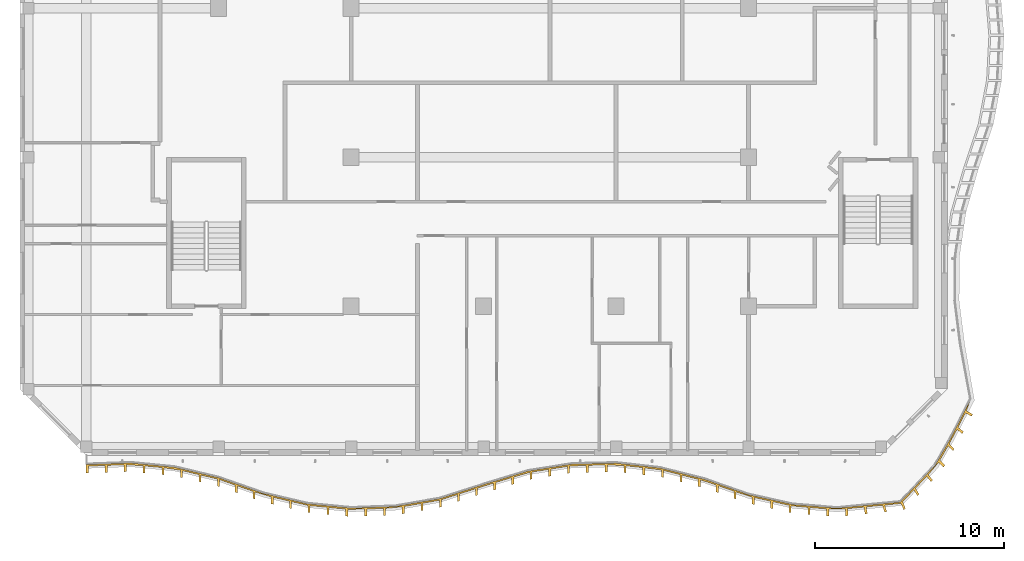
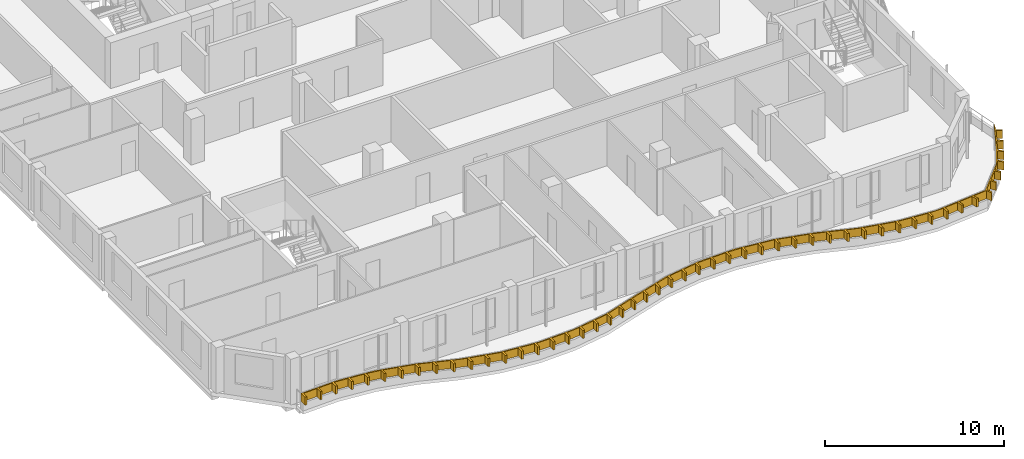
# One storey, part 12 of 18: 1 shading device.
"""IFC4 building model written with IfcOpenShell, lengths in metres."""

from ifc_helpers import new_model, si_unit, direction, frame, origin, place, context, subcontext, project, spatial, polyline, outline, extrude, source, transform, mapped, material, layer, layer_set, type_object, element, save


model = new_model("IFC4")

# Units and contexts
model_context = context("Model", 3, precision=1e-05, world=origin(), true_north=direction((0.0, 1.0)))
body_context = subcontext(model_context, "Body", "Model", "MODEL_VIEW")
ifc_project = project(units=[si_unit("LENGTHUNIT", "METRE"), si_unit("AREAUNIT", "SQUARE_METRE"), si_unit("VOLUMEUNIT", "CUBIC_METRE"), si_unit("PLANEANGLEUNIT", "RADIAN"), si_unit("MASSUNIT", "GRAM", prefix="KILO")], contexts=[model_context])

# Site, building, storey
site_placement = place(None, origin())
site = spatial("IfcSite", under=ifc_project, at=site_placement, CompositionType="ELEMENT")
building_placement = place(site_placement, origin())
building = spatial("IfcBuilding", under=site, at=building_placement, Name="Kilnfold Tower and Market Hall", CompositionType="ELEMENT")
storey_placement = place(building_placement, frame((0.0, 0.0, 312.0)))
storey = spatial("IfcBuildingStorey", under=building, at=storey_placement, Name="L78", CompositionType="ELEMENT", Elevation=312.0)

# Shading device
ifc_material = material(Name="Bronze anodised aluminium", Category="aluminium")
ifc_layer = layer(ifc_material, 0.550048828125)
ifc_layer_set = layer_set([ifc_layer], Name="Bronze anodised aluminium")
shading_device_type = type_object("IfcShadingDeviceType", Name="BRONZE SLAT FASCIA 550", PredefinedType="USERDEFINED", material=ifc_layer_set)
shared_shape = source(origin(), body_context, "Body", "SweptSolid", [
    extrude(outline(polyline([(-22.0, -24.44482421875), (-22.0, -23.994873046875), (-19.666748046875, -23.90771484375), (-17.333251953125, -24.135009765625), (-15.0, -24.689453125), (-12.666748046875, -25.50927734375), (-10.333251953125, -26.064208984375), (-8.0, -26.292236328125), (-5.666748046875, -26.20556640625), (-3.333251953125, -25.7998046875), (-1.0, -25.052001953125), (1.333251953125, -24.34130859375), (3.666748046875, -23.97021484375), (6.0, -23.9169921875), (8.333251953125, -24.1787109375), (10.666748046875, -24.770263671875), (13.0, -25.5859375), (15.333251953125, -26.1044921875), (17.666748046875, -26.2978515625), (21.024658203125, -25.973388671875), (22.863525390625, -24.030029296875), (23.71484375, -22.54833984375), (24.70849609375, -20.607421875), (24.5166015625, -21.15087890625), (24.836669921875, -21.32861328125), (24.77880859375, -21.439208984375), (24.462646484375, -21.25537109375), (24.068603515625, -22.0224609375), (24.3544921875, -22.251220703125), (24.296630859375, -22.362060546875), (24.01513671875, -22.127197265625), (23.60546875, -22.893798828125), (23.866943359375, -23.155517578125), (23.80712890625, -23.259521484375), (23.545654296875, -22.997802734375), (23.107177734375, -23.760986328125), (23.368896484375, -24.022705078125), (23.30908203125, -24.126708984375), (23.04736328125, -23.864990234375), (22.495849609375, -24.5302734375), (22.731201171875, -24.811279296875), (22.644775390625, -24.900390625), (22.414306640625, -24.615478515625), (21.818115234375, -25.2421875), (22.010009765625, -25.552978515625), (21.92333984375, -25.64208984375), (21.73681640625, -25.327880859375), (21.141357421875, -25.956298828125), (21.28857421875, -26.294921875), (21.2021484375, -26.3837890625), (21.06005859375, -26.042236328125), (20.197998046875, -26.12939453125), (20.30419921875, -26.47998046875), (20.181396484375, -26.492431640625), (20.080078125, -26.140625), (19.216064453125, -26.224609375), (19.28125, -26.583984375), (19.158447265625, -26.596435546875), (19.098388671875, -26.236083984375), (18.234619140625, -26.3212890625), (18.25830078125, -26.687744140625), (18.1357421875, -26.7001953125), (18.11669921875, -26.3330078125), (17.24658203125, -26.343017578125), (17.24658203125, -26.713134765625), (17.126953125, -26.703125), (17.126953125, -26.3330078125), (16.25, -26.260498046875), (16.25, -26.63037109375), (16.130615234375, -26.62060546875), (16.130615234375, -26.25048828125), (15.255126953125, -26.1669921875), (15.255126953125, -26.537109375), (15.137939453125, -26.510986328125), (15.137939453125, -26.14111328125), (14.27880859375, -25.9501953125), (14.27880859375, -26.320068359375), (14.161865234375, -26.294189453125), (14.161865234375, -25.924072265625), (13.302734375, -25.733154296875), (13.302734375, -26.103271484375), (13.185546875, -26.0771484375), (13.185546875, -25.70703125), (12.3486328125, -25.438232421875), (12.3486328125, -25.808349609375), (12.235595703125, -25.768798828125), (12.235595703125, -25.398681640625), (11.40478515625, -25.1083984375), (11.40478515625, -25.478271484375), (11.29150390625, -25.438720703125), (11.29150390625, -25.068603515625), (10.455078125, -24.796630859375), (10.455078125, -25.166748046875), (10.3388671875, -25.13720703125), (10.3388671875, -24.76708984375), (9.48583984375, -24.55078125), (9.48583984375, -24.9208984375), (9.36962890625, -24.891357421875), (9.36962890625, -24.521484375), (8.5166015625, -24.30517578125), (8.5166015625, -24.67529296875), (8.400390625, -24.645751953125), (8.400390625, -24.275634765625), (7.52734375, -24.168212890625), (7.52734375, -24.538330078125), (7.408203125, -24.52490234375), (7.408203125, -24.15478515625), (6.53369140625, -24.056884765625), (6.53369140625, -24.427001953125), (6.414306640625, -24.41357421875), (6.414306640625, -24.04345703125), (5.537109375, -24.007568359375), (5.537109375, -24.377685546875), (5.417236328125, -24.38037109375), (5.417236328125, -24.01025390625), (4.537353515625, -24.0302734375), (4.537353515625, -24.400390625), (4.41748046875, -24.403076171875), (4.41748046875, -24.033203125), (3.539306640625, -24.070556640625), (3.539306640625, -24.4404296875), (3.420654296875, -24.459228515625), (3.420654296875, -24.08935546875), (2.551513671875, -24.2275390625), (2.551513671875, -24.597412109375), (2.43310546875, -24.616455078125), (2.43310546875, -24.246337890625), (1.56396484375, -24.384521484375), (1.56396484375, -24.754638671875), (1.445556640625, -24.7734375), (1.445556640625, -24.403564453125), (0.60009765625, -24.64453125), (0.60009765625, -25.0146484375), (0.4853515625, -25.049560546875), (0.4853515625, -24.6796875), (-0.3564453125, -24.93603515625), (-0.3564453125, -25.305908203125), (-0.47119140625, -25.3408203125), (-0.47119140625, -24.970947265625), (-1.3115234375, -25.23193359375), (-1.3115234375, -25.601806640625), (-1.42578125, -25.638427734375), (-1.42578125, -25.2685546875), (-2.263916015625, -25.537109375), (-2.263916015625, -25.906982421875), (-2.378173828125, -25.943603515625), (-2.378173828125, -25.57373046875), (-3.21630859375, -25.84228515625), (-3.21630859375, -26.21240234375), (-3.330322265625, -26.2490234375), (-3.330322265625, -25.87890625), (-4.197265625, -26.030029296875), (-4.197265625, -26.400146484375), (-4.315673828125, -26.420654296875), (-4.315673828125, -26.05078125), (-5.1826171875, -26.201416015625), (-5.1826171875, -26.5712890625), (-5.30078125, -26.592041015625), (-5.30078125, -26.221923828125), (-6.1748046875, -26.304443359375), (-6.1748046875, -26.674560546875), (-6.294921875, -26.678955078125), (-6.294921875, -26.308837890625), (-7.17431640625, -26.341552734375), (-7.17431640625, -26.711669921875), (-7.294189453125, -26.716064453125), (-7.294189453125, -26.345947265625), (-8.1728515625, -26.355224609375), (-8.1728515625, -26.725341796875), (-8.292236328125, -26.713623046875), (-8.292236328125, -26.34375), (-9.168212890625, -26.258056640625), (-9.168212890625, -26.628173828125), (-9.28759765625, -26.616455078125), (-9.28759765625, -26.246337890625), (-10.163330078125, -26.160888671875), (-10.163330078125, -26.531005859375), (-10.28271484375, -26.519287109375), (-10.28271484375, -26.149169921875), (-11.14013671875, -25.952392578125), (-11.14013671875, -26.322509765625), (-11.2568359375, -26.294677734375), (-11.2568359375, -25.924560546875), (-12.11279296875, -25.720947265625), (-12.11279296875, -26.0908203125), (-12.229736328125, -26.063232421875), (-12.229736328125, -25.693115234375), (-13.072998046875, -25.4462890625), (-13.072998046875, -25.81640625), (-13.186279296875, -25.776611328125), (-13.186279296875, -25.40673828125), (-14.0166015625, -25.114990234375), (-14.0166015625, -25.485107421875), (-14.1298828125, -25.4453125), (-14.1298828125, -25.0751953125), (-14.960205078125, -24.783447265625), (-14.960205078125, -25.153564453125), (-15.07568359375, -25.12158203125), (-15.07568359375, -24.75146484375), (-15.931640625, -24.548095703125), (-15.931640625, -24.91796875), (-16.048583984375, -24.890380859375), (-16.048583984375, -24.520263671875), (-16.904541015625, -24.31689453125), (-16.904541015625, -24.686767578125), (-17.021484375, -24.658935546875), (-17.021484375, -24.2890625), (-17.889892578125, -24.16064453125), (-17.889892578125, -24.53076171875), (-18.009521484375, -24.51904296875), (-18.009521484375, -24.149169921875), (-18.88525390625, -24.063720703125), (-18.88525390625, -24.433837890625), (-19.0048828125, -24.422119140625), (-19.0048828125, -24.05224609375), (-19.881591796875, -23.99560546875), (-19.881591796875, -24.36572265625), (-20.00146484375, -24.3701171875), (-20.00146484375, -24.000244140625), (-20.880859375, -24.032958984375), (-20.880859375, -24.403076171875), (-21.000732421875, -24.407470703125), (-21.000732421875, -24.03759765625), (-21.880126953125, -24.0703125), (-21.880126953125, -24.440185546875), (-22.0, -24.44482421875)])), origin(), (0.0, 0.0, 1.0), 0.550048828125),
])
shading_device_placement = place(storey_placement, frame((0.0, 0.0, 0.550048828125)))
element("IfcShadingDevice", 1, at=shading_device_placement, inside=storey, type_object=shading_device_type, Name="Balcony slat fascia L78", ObjectType="SLAT", PredefinedType="USERDEFINED", context=body_context, shape_type="MappedRepresentation", body=[
    mapped(shared_shape, transform((0.0, 0.0, 0.0))),
])

save(model, "model.ifc")
